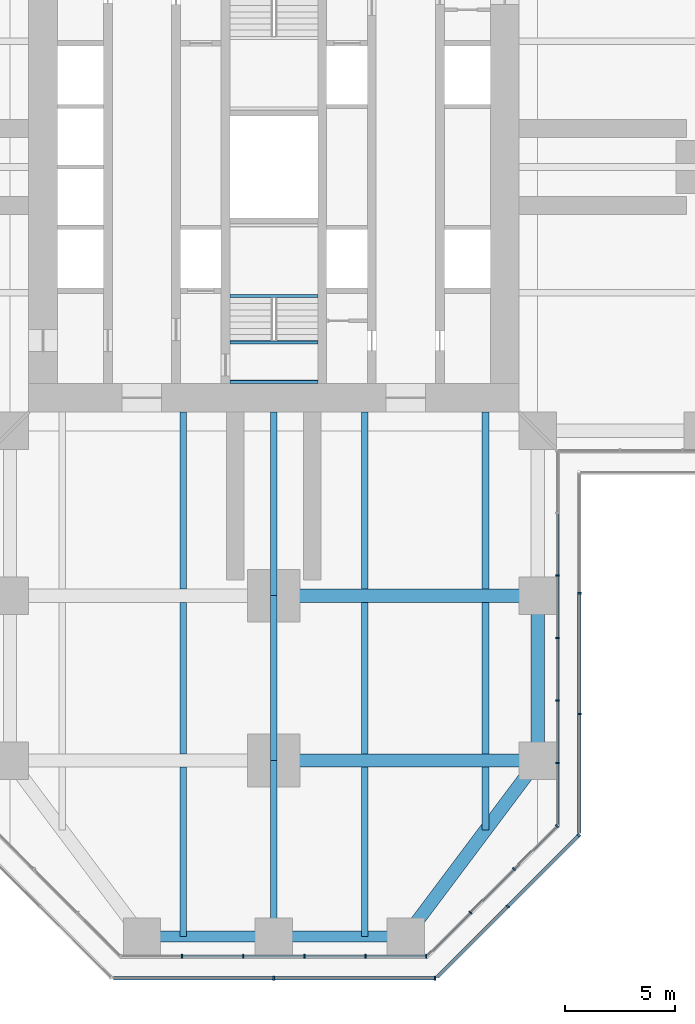
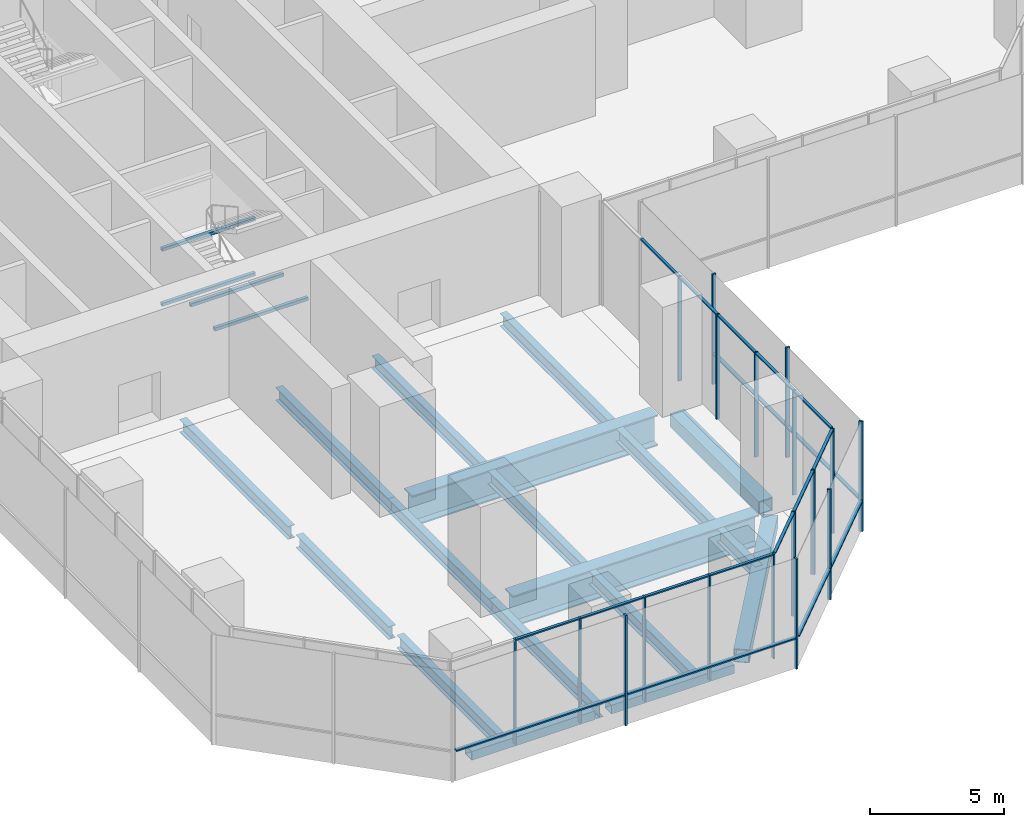
# One storey, part 5 of 23: 36 members, 22 beams, 6 elements without a shape of their own.
"""IFC4 building model written with IfcOpenShell, lengths in metres."""

import ifcopenshell
import ifcopenshell.guid

model = None  # the IFC model being written
_history = None  # IfcOwnerHistory: only IFC2X3 demands one
_inside = {}  # id of a spatial element -> (the spatial element, [elements in it])
_under = {}  # id of a project, library or spatial element -> (it, [spatial elements below it])
_declared = {}  # id of a project -> (the project, [libraries it declares])
_typed = {}  # id of a type object -> (the type object, [elements of that type])
_made_of = {}  # id of a material, layer set ... -> (it, [elements and type objects made of it])


def new_model(schema):
    """Start an empty IFC model of exactly this schema.

    Asked for "IFC4X3", IfcOpenShell would pick the latest addendum, in which some entities
    have other attributes; the version numbers below select the first issue.
    IFC2X3 requires an IfcOwnerHistory on every rooted entity: one is made here for all.
    """
    global model, _history
    if schema == "IFC4X3":
        model = ifcopenshell.file(schema_version=(4, 3, 0, 0))
    else:
        model = ifcopenshell.file(schema=schema)
    _inside.clear()
    _under.clear()
    _declared.clear()
    _typed.clear()
    _made_of.clear()
    _history = None
    if model.schema == "IFC2X3":
        org = make("IfcOrganization", Name="unknown")
        user = make(
            "IfcPersonAndOrganization",
            ThePerson=make("IfcPerson", FamilyName="unknown"),
            TheOrganization=org,
        )
        app = make(
            "IfcApplication",
            ApplicationDeveloper=org,
            Version="unknown",
            ApplicationFullName="unknown",
            ApplicationIdentifier="unknown",
        )
        _history = make(
            "IfcOwnerHistory",
            OwningUser=user,
            OwningApplication=app,
            ChangeAction="ADDED",
            CreationDate=0,
        )
    return model


def make(cls, **values):
    """One entity of the class cls with the attributes given. An attribute that is None is left unset."""
    return model.create_entity(
        cls, **{name: value for name, value in values.items() if value is not None}
    )


def rooted(cls, **values):
    """An entity with a GlobalId (a new one), such as an element, a storey or a relation."""
    return make(cls, GlobalId=ifcopenshell.guid.new(), OwnerHistory=_history, **values)


def si_unit(unit_type, name, prefix=None):
    """IfcSIUnit, for example si_unit("LENGTHUNIT", "METRE", prefix="MILLI")."""
    return make("IfcSIUnit", UnitType=unit_type, Prefix=prefix, Name=name)


def assignment(units):
    """IfcUnitAssignment: the units of a project."""
    return None if units is None else make("IfcUnitAssignment", Units=units)


def point(xyz):
    """IfcCartesianPoint."""
    return None if xyz is None else make("IfcCartesianPoint", Coordinates=xyz)


def direction(xyz):
    """IfcDirection."""
    return None if xyz is None else make("IfcDirection", DirectionRatios=xyz)


def frame(location, z_axis=None, x_axis=None):
    """IfcAxis2Placement3D, a coordinate frame: its origin and axes. An axis left out is left unset."""
    return make(
        "IfcAxis2Placement3D",
        Location=point(location),
        Axis=direction(z_axis),
        RefDirection=direction(x_axis),
    )


def frame_2d(location, x_axis=None):
    """IfcAxis2Placement2D, a coordinate frame in the plane: its origin and x axis."""
    return make(
        "IfcAxis2Placement2D", Location=point(location), RefDirection=direction(x_axis)
    )


def origin():
    """The frame at (0, 0, 0) with its axes left unset."""
    return frame((0.0, 0.0, 0.0))


def origin_2d():
    """The frame at (0, 0) in the plane with its x axis left unset."""
    return frame_2d((0.0, 0.0))


def place(relative_to, where):
    """IfcLocalPlacement: puts the frame where relative to a parent placement (None: the world)."""
    return make(
        "IfcLocalPlacement", PlacementRelTo=relative_to, RelativePlacement=where
    )


def context(
    kind, dimensions, precision=None, world=None, true_north=None, identifier=None
):
    """IfcGeometricRepresentationContext, for example the 3D "Model" context."""
    return make(
        "IfcGeometricRepresentationContext",
        ContextIdentifier=identifier,
        ContextType=kind,
        CoordinateSpaceDimension=dimensions,
        Precision=precision,
        WorldCoordinateSystem=world,
        TrueNorth=true_north,
    )


def subcontext(parent, identifier, kind, view, scale=None):
    """IfcGeometricRepresentationSubContext, for example "Body" below "Model"."""
    return make(
        "IfcGeometricRepresentationSubContext",
        ContextIdentifier=identifier,
        ContextType=kind,
        ParentContext=parent,
        TargetScale=scale,
        TargetView=view,
    )


def project(units=None, contexts=None):
    """IfcProject with its units and contexts."""
    return rooted(
        "IfcProject",
        Name="project",
        RepresentationContexts=contexts,
        UnitsInContext=assignment(units),
    )


def spatial(cls, under=None, at=None, **own):
    """A site, building, storey or space (cls), placed at a placement, below another one or the project."""
    s = rooted(cls, ObjectPlacement=at, **own)
    if under is not None:
        _under.setdefault(under.id(), (under, []))[1].append(s)
    return s


def profile(cls, at=None, kind="AREA", **sizes):
    """A parametric profile (cls). Its sizes go by their IFC names, for example OverallWidth=200.0."""
    return make(cls, ProfileType=kind, Position=at, **sizes)


def rectangle(**sizes):
    """IfcRectangleProfileDef."""
    return profile("IfcRectangleProfileDef", **sizes)


def hollow_rectangle(**sizes):
    """IfcRectangleHollowProfileDef."""
    return profile("IfcRectangleHollowProfileDef", **sizes)


def i_section(**sizes):
    """IfcIShapeProfileDef."""
    return profile("IfcIShapeProfileDef", **sizes)


def extrude(swept, where, along, depth):
    """IfcExtrudedAreaSolid: the profile swept, set in the frame where, extruded along a direction by depth."""
    return make(
        "IfcExtrudedAreaSolid",
        SweptArea=swept,
        Position=where,
        ExtrudedDirection=direction(along),
        Depth=depth,
    )


def shape(context_of_items, identifier, shape_type, items):
    """IfcShapeRepresentation: the items that make up one representation, for example the "Body"."""
    return make(
        "IfcShapeRepresentation",
        ContextOfItems=context_of_items,
        RepresentationIdentifier=identifier,
        RepresentationType=shape_type,
        Items=items,
    )


def material(Name=None, Category=None):
    """IfcMaterial."""
    return make("IfcMaterial", Name=Name, Category=Category)


def material_profile(
    of_material, cross_section, Name=None, Category=None, Priority=None
):
    """IfcMaterialProfile: a cross section and its material."""
    return make(
        "IfcMaterialProfile",
        Name=Name,
        Material=of_material,
        Profile=cross_section,
        Priority=Priority,
        Category=Category,
    )


def profile_set(profiles, Name=None, composite=None):
    """IfcMaterialProfileSet."""
    return make(
        "IfcMaterialProfileSet",
        Name=Name,
        MaterialProfiles=profiles,
        CompositeProfile=composite,
    )


def made_of(thing, what):
    """Note that an element or type object is made of a material, layer set ...; save() writes the relation."""
    if what is not None:
        _made_of.setdefault(what.id(), (what, []))[1].append(thing)
    return thing


def type_object(cls, material=None, **own):
    """A type object (cls), such as IfcWallType, which elements share."""
    return made_of(rooted(cls, **own), material)


def element(
    cls,
    number,
    at=None,
    inside=None,
    cuts=None,
    type_object=None,
    material=None,
    context=None,
    identifier="Body",
    shape_type=None,
    held_by="IfcProductDefinitionShape",
    body=None,
    shapes=None,
    **own,
):
    """One element of the class cls, such as IfcWall. Its Tag is "e" and its number.

    at: its placement. inside: the storey or other place that contains it. cuts: it is an
    opening in that element (IfcRelVoidsElement). A single representation is given by context,
    identifier, shape_type and body (its items); several are given by shapes. held_by: the class
    of the entity that holds the representations. save() writes the other relations.
    """
    e = rooted(cls, Tag="e%d" % number, ObjectPlacement=at, **own)
    if body is not None:
        shapes = [shape(context, identifier, shape_type, body)]
    if shapes is not None:
        e.Representation = make(held_by, Representations=shapes)
    if inside is not None:
        _inside.setdefault(inside.id(), (inside, []))[1].append(e)
    if cuts is not None:
        rooted(
            "IfcRelVoidsElement", RelatingBuildingElement=cuts, RelatedOpeningElement=e
        )
    if type_object is not None:
        _typed.setdefault(type_object.id(), (type_object, []))[1].append(e)
    return made_of(e, material)


def aggregate(whole, parts):
    """IfcRelAggregates: a whole, such as a stair, and the parts it consists of."""
    return rooted("IfcRelAggregates", RelatingObject=whole, RelatedObjects=parts)


def save(model, path):
    """Write the relations noted so far, then the file.

    IfcRelAggregates (storeys below a building ...), IfcRelContainedInSpatialStructure (elements
    in a storey), IfcRelDefinesByType, IfcRelAssociatesMaterial and IfcRelDeclares: one each for
    every whole, place, type object, material and project.
    """
    for whole, parts in _under.values():
        aggregate(whole, parts)
    for where, things in _inside.values():
        rooted(
            "IfcRelContainedInSpatialStructure",
            RelatedElements=things,
            RelatingStructure=where,
        )
    for kind, things in _typed.values():
        rooted("IfcRelDefinesByType", RelatedObjects=things, RelatingType=kind)
    for what, things in _made_of.values():
        rooted("IfcRelAssociatesMaterial", RelatedObjects=things, RelatingMaterial=what)
    for by, libraries in _declared.values():
        rooted("IfcRelDeclares", RelatingContext=by, RelatedDefinitions=libraries)
    model.write(path)


model = new_model("IFC4")

# Units and contexts
model_context = context("Model", 3, precision=1e-05, world=origin(), true_north=direction((0.0, 1.0)))
body_context = subcontext(model_context, "Body", "Model", "MODEL_VIEW")
ifc_project = project(units=[si_unit("LENGTHUNIT", "METRE"), si_unit("AREAUNIT", "SQUARE_METRE"), si_unit("VOLUMEUNIT", "CUBIC_METRE"), si_unit("PLANEANGLEUNIT", "RADIAN"), si_unit("MASSUNIT", "GRAM", prefix="KILO")], contexts=[model_context])

# Site, building, storey
site_placement = place(None, origin())
site = spatial("IfcSite", under=ifc_project, at=site_placement, CompositionType="ELEMENT")
building_placement = place(site_placement, origin())
building = spatial("IfcBuilding", under=site, at=building_placement, Name="Mizan Broadcast Tower", CompositionType="ELEMENT")
storey_placement = place(building_placement, frame((0.0, 0.0, 28.0)))
storey = spatial("IfcBuildingStorey", under=building, at=storey_placement, Name="L04", CompositionType="ELEMENT", Elevation=28.0)

# Beams
ifc_material_1 = material(Name="Steel S355", Category="steel")
ifc_material_profile_1 = material_profile(ifc_material_1, hollow_rectangle(XDim=0.5, YDim=0.39990234375, WallThickness=0.02490234375, at=origin_2d()), Name="BOX 400x500x25")
ifc_profile_set_1 = profile_set([ifc_material_profile_1], Name="Steel S355")
beam_type_1 = type_object("IfcBeamType", Name="EDGE BEAM BOX 400x500x25", PredefinedType="SPANDREL", material=ifc_profile_set_1)
for number, where, z_axis, x_axis, name in (
    (1, (-5.639892578125, -35.0, -0.449951171875), (1.0, 0.0, 0.0), (0.0, 1.0, 0.0), "Edge beam BOX 400x500x25 L04 south arm"),
    (2, (5.639892578125, -35.0, -0.449951171875), (-1.0, 0.0, 0.0), (0.0, -1.0, 0.0), "Edge beam BOX 400x500x25 L04 south arm"),
):
    element("IfcBeam", number, at=place(storey_placement, frame(where, z_axis=z_axis, x_axis=x_axis)), inside=storey, type_object=beam_type_1, Name=name, PredefinedType="SPANDREL", context=body_context, shape_type="SweptSolid", body=[
        extrude(hollow_rectangle(XDim=0.5, YDim=0.39990234375, WallThickness=0.02490234375, at=origin_2d()), origin(), (0.0, 0.0, 1.0), 5.27978515625),
    ])
ifc_material_2 = material(Name="Steel S355", Category="steel")
ifc_material_profile_2 = material_profile(ifc_material_2, hollow_rectangle(XDim=0.60009765625, YDim=0.60009765625, WallThickness=0.030029296875, at=origin_2d()), Name="BOX 600x600x30")
ifc_profile_set_2 = profile_set([ifc_material_profile_2], Name="Steel S355")
beam_type_2 = type_object("IfcBeamType", Name="EDGE BEAM BOX 600x600x30", PredefinedType="SPANDREL", material=ifc_profile_set_2)
beam_1_placement = place(storey_placement, frame((11.639892578125, -27.47998046875, -0.550048828125), z_axis=(-0.599982243973, -0.800013316712, 0.0), x_axis=(0.800013316712, -0.599982243973, 0.0)))
element("IfcBeam", 3, at=beam_1_placement, inside=storey, type_object=beam_type_2, Name="Edge beam BOX 600x600x30 L04 south arm", PredefinedType="SPANDREL", context=body_context, shape_type="SweptSolid", body=[
    extrude(hollow_rectangle(XDim=0.60009765625, YDim=0.60009765625, WallThickness=0.030029296875, at=origin_2d()), origin(), (0.0, 0.0, 1.0), 8.7998046875),
])
ifc_material_3 = material(Name="Steel S355", Category="steel")
ifc_material_profile_3 = material_profile(ifc_material_3, hollow_rectangle(XDim=0.60009765625, YDim=0.60009765625, WallThickness=0.0400390625, at=origin_2d()), Name="BOX 600x600x40")
ifc_profile_set_3 = profile_set([ifc_material_profile_3], Name="Steel S355")
beam_type_3 = type_object("IfcBeamType", Name="EDGE BEAM BOX 600x600x40", PredefinedType="SPANDREL", material=ifc_profile_set_3)
beam_2_placement = place(storey_placement, frame((12.0, -19.949951171875, -0.550048828125), z_axis=(0.0, -1.0, 0.0), x_axis=(1.0, 0.0, 0.0)))
element("IfcBeam", 4, at=beam_2_placement, inside=storey, type_object=beam_type_3, Name="Edge beam BOX 600x600x40 L04 south arm", PredefinedType="SPANDREL", context=body_context, shape_type="SweptSolid", body=[
    extrude(hollow_rectangle(XDim=0.60009765625, YDim=0.60009765625, WallThickness=0.0400390625, at=origin_2d()), origin(), (0.0, 0.0, 1.0), 6.60009765625),
])
ifc_material_4 = material(Name="Steel S460", Category="steel")
ifc_material_profile_4 = material_profile(ifc_material_4, i_section(OverallWidth=0.60009765625, OverallDepth=1.39990234375, WebThickness=0.02490234375, FlangeThickness=0.06005859375, at=origin_2d()), Name="WPG 1400x600")
ifc_profile_set_4 = profile_set([ifc_material_profile_4], Name="Steel S460")
beam_type_4 = type_object("IfcBeamType", Name="GIRDER WPG 1400x600", PredefinedType="BEAM", material=ifc_profile_set_4)
for number, where, z_axis, x_axis, name in (
    (5, (0.719970703125, -19.5, -0.949951171875), (1.0, 0.0, 0.0), (0.0, 1.0, 0.0), "Girder WPG 1400x600 L04 south arm"),
    (6, (0.719970703125, -27.0, -0.949951171875), (1.0, 0.0, 0.0), (0.0, 1.0, 0.0), "Girder WPG 1400x600 L04 south arm"),
):
    element("IfcBeam", number, at=place(storey_placement, frame(where, z_axis=z_axis, x_axis=x_axis)), inside=storey, type_object=beam_type_4, Name=name, PredefinedType="BEAM", context=body_context, shape_type="SweptSolid", body=[
        extrude(i_section(OverallWidth=0.60009765625, OverallDepth=1.39990234375, WebThickness=0.02490234375, FlangeThickness=0.06005859375, at=origin_2d()), origin(), (0.0, 0.0, 1.0), 10.56005859375),
    ])

# Curtain wall, members
ifc_material_5 = material(Name="Aluminium framed glazing", Category="aluminium")
curtain_wall_type_1 = type_object("IfcCurtainWallType", Name="PODIUM CURTAIN WALL", PredefinedType="USERDEFINED", material=ifc_material_5)
curtain_wall_1_placement = place(storey_placement, origin())
curtain_wall_1 = element("IfcCurtainWall", 7, at=curtain_wall_1_placement, inside=storey, type_object=curtain_wall_type_1, Name="Podium curtain wall L04 S end", ObjectType="PODIUM CURTAIN WALL", PredefinedType="USERDEFINED")
ifc_material_6 = material(Name="Aluminium, pale anodised", Category="aluminium")
ifc_material_profile_5 = material_profile(ifc_material_6, rectangle(XDim=0.159912109375, YDim=0.06005859375, at=origin_2d()), Name="MULLION 160x60")
ifc_profile_set_5 = profile_set([ifc_material_profile_5], Name="Aluminium, pale anodised")
member_type_1 = type_object("IfcMemberType", Name="INNER SKIN MULLION 60x160", PredefinedType="MULLION", material=ifc_profile_set_5)
member_1_placement = place(storey_placement, frame((-4.175048828125, -35.89990234375, 0.0), z_axis=(0.0, 0.0, 1.0), x_axis=(0.0, 1.0, 0.0)))
member_1 = element("IfcMember", 8, at=member_1_placement, type_object=member_type_1, Name="Podium curtain wall L04 S end mullion 2", PredefinedType="MULLION", context=body_context, shape_type="SweptSolid", body=[
    extrude(rectangle(XDim=0.159912109375, YDim=0.06005859375, at=origin_2d()), origin(), (0.0, 0.0, 1.0), 4.75),
])
member_2_placement = place(storey_placement, frame((-1.3916015625, -35.89990234375, 0.0), z_axis=(0.0, 0.0, 1.0), x_axis=(0.0, 1.0, 0.0)))
member_2 = element("IfcMember", 9, at=member_2_placement, type_object=member_type_1, Name="Podium curtain wall L04 S end mullion 3", PredefinedType="MULLION", context=body_context, shape_type="SweptSolid", body=[
    extrude(rectangle(XDim=0.159912109375, YDim=0.06005859375, at=origin_2d()), origin(), (0.0, 0.0, 1.0), 4.75),
])
member_3_placement = place(storey_placement, frame((1.3916015625, -35.89990234375, 0.0), z_axis=(0.0, 0.0, 1.0), x_axis=(0.0, 1.0, 0.0)))
member_3 = element("IfcMember", 10, at=member_3_placement, type_object=member_type_1, Name="Podium curtain wall L04 S end mullion 4", PredefinedType="MULLION", context=body_context, shape_type="SweptSolid", body=[
    extrude(rectangle(XDim=0.159912109375, YDim=0.06005859375, at=origin_2d()), origin(), (0.0, 0.0, 1.0), 4.75),
])
member_4_placement = place(storey_placement, frame((4.175048828125, -35.89990234375, 0.0), z_axis=(0.0, 0.0, 1.0), x_axis=(0.0, 1.0, 0.0)))
member_4 = element("IfcMember", 11, at=member_4_placement, type_object=member_type_1, Name="Podium curtain wall L04 S end mullion 5", PredefinedType="MULLION", context=body_context, shape_type="SweptSolid", body=[
    extrude(rectangle(XDim=0.159912109375, YDim=0.06005859375, at=origin_2d()), origin(), (0.0, 0.0, 1.0), 4.75),
])
member_5_placement = place(storey_placement, frame((6.928466796875, -35.89990234375, 0.0), z_axis=(0.0, 0.0, 1.0), x_axis=(0.0, 1.0, 0.0)))
member_5 = element("IfcMember", 12, at=member_5_placement, type_object=member_type_1, Name="Podium curtain wall L04 S end mullion 6", PredefinedType="MULLION", context=body_context, shape_type="SweptSolid", body=[
    extrude(rectangle(XDim=0.159912109375, YDim=0.06005859375, at=origin_2d()), origin(), (0.0, 0.0, 1.0), 4.75),
])

curtain_wall_2_placement = place(storey_placement, origin())
curtain_wall_2 = element("IfcCurtainWall", 13, at=curtain_wall_2_placement, inside=storey, type_object=curtain_wall_type_1, Name="Podium curtain wall L04 S chamfer", ObjectType="PODIUM CURTAIN WALL", PredefinedType="USERDEFINED")
member_6_placement = place(storey_placement, frame((8.93896484375, -33.91943359375, 0.0), z_axis=(0.0, 0.0, 1.0), x_axis=(-0.707106781187, 0.707106781187, 0.0)))
member_6 = element("IfcMember", 14, at=member_6_placement, type_object=member_type_1, Name="Podium curtain wall L04 S chamfer mullion 2", PredefinedType="MULLION", context=body_context, shape_type="SweptSolid", body=[
    extrude(rectangle(XDim=0.159912109375, YDim=0.06005859375, at=origin_2d()), origin(), (0.0, 0.0, 1.0), 4.75),
])
member_7_placement = place(storey_placement, frame((10.91943359375, -31.93896484375, 0.0), z_axis=(0.0, 0.0, 1.0), x_axis=(-0.707106781187, 0.707106781187, 0.0)))
member_7 = element("IfcMember", 15, at=member_7_placement, type_object=member_type_1, Name="Podium curtain wall L04 S chamfer mullion 3", PredefinedType="MULLION", context=body_context, shape_type="SweptSolid", body=[
    extrude(rectangle(XDim=0.159912109375, YDim=0.06005859375, at=origin_2d()), origin(), (0.0, 0.0, 1.0), 4.75),
])
member_8_placement = place(storey_placement, frame((12.87890625, -29.979736328125, 0.0), z_axis=(0.0, 0.0, 1.0), x_axis=(-0.707106781187, 0.707106781187, 0.0)))
member_8 = element("IfcMember", 16, at=member_8_placement, type_object=member_type_1, Name="Podium curtain wall L04 S chamfer mullion 4", PredefinedType="MULLION", context=body_context, shape_type="SweptSolid", body=[
    extrude(rectangle(XDim=0.159912109375, YDim=0.06005859375, at=origin_2d()), origin(), (0.0, 0.0, 1.0), 4.75),
])

curtain_wall_3_placement = place(storey_placement, origin())
curtain_wall_3 = element("IfcCurtainWall", 17, at=curtain_wall_3_placement, inside=storey, type_object=curtain_wall_type_1, Name="Podium curtain wall L04 S side", ObjectType="PODIUM CURTAIN WALL", PredefinedType="USERDEFINED")
member_9_placement = place(storey_placement, frame((12.89990234375, -27.115478515625, 0.0), z_axis=(0.0, 0.0, 1.0), x_axis=(-1.0, 0.0, 0.0)))
member_9 = element("IfcMember", 18, at=member_9_placement, type_object=member_type_1, Name="Podium curtain wall L04 S side mullion 2", PredefinedType="MULLION", context=body_context, shape_type="SweptSolid", body=[
    extrude(rectangle(XDim=0.159912109375, YDim=0.06005859375, at=origin_2d()), origin(), (0.0, 0.0, 1.0), 4.75),
])
member_10_placement = place(storey_placement, frame((12.89990234375, -24.2724609375, 0.0), z_axis=(0.0, 0.0, 1.0), x_axis=(-1.0, 0.0, 0.0)))
member_10 = element("IfcMember", 19, at=member_10_placement, type_object=member_type_1, Name="Podium curtain wall L04 S side mullion 3", PredefinedType="MULLION", context=body_context, shape_type="SweptSolid", body=[
    extrude(rectangle(XDim=0.159912109375, YDim=0.06005859375, at=origin_2d()), origin(), (0.0, 0.0, 1.0), 4.75),
])
member_11_placement = place(storey_placement, frame((12.89990234375, -21.42919921875, 0.0), z_axis=(0.0, 0.0, 1.0), x_axis=(-1.0, 0.0, 0.0)))
member_11 = element("IfcMember", 20, at=member_11_placement, type_object=member_type_1, Name="Podium curtain wall L04 S side mullion 4", PredefinedType="MULLION", context=body_context, shape_type="SweptSolid", body=[
    extrude(rectangle(XDim=0.159912109375, YDim=0.06005859375, at=origin_2d()), origin(), (0.0, 0.0, 1.0), 4.75),
])
member_12_placement = place(storey_placement, frame((12.89990234375, -18.586181640625, 0.0), z_axis=(0.0, 0.0, 1.0), x_axis=(-1.0, 0.0, 0.0)))
member_12 = element("IfcMember", 21, at=member_12_placement, type_object=member_type_1, Name="Podium curtain wall L04 S side mullion 5", PredefinedType="MULLION", context=body_context, shape_type="SweptSolid", body=[
    extrude(rectangle(XDim=0.159912109375, YDim=0.06005859375, at=origin_2d()), origin(), (0.0, 0.0, 1.0), 4.75),
])

# Member
ifc_material_7 = material(Name="Aluminium, pale anodised", Category="aluminium")
ifc_material_profile_6 = material_profile(ifc_material_7, rectangle(XDim=0.1201171875, YDim=0.06005859375, at=origin_2d()), Name="TRANSOM 120x60")
ifc_profile_set_6 = profile_set([ifc_material_profile_6], Name="Aluminium, pale anodised")
member_type_2 = type_object("IfcMemberType", Name="INNER SKIN TRANSOM 60x120", PredefinedType="USERDEFINED", material=ifc_profile_set_6)
member_13_placement = place(storey_placement, frame((-4.145263671875, -35.89990234375, 4.719970703125), z_axis=(1.0, 0.0, 0.0), x_axis=(0.0, 1.0, 0.0)))
member_13 = element("IfcMember", 22, at=member_13_placement, type_object=member_type_2, Name="Podium curtain wall L04 S end transom 2.1", ObjectType="TRANSOM", PredefinedType="USERDEFINED", context=body_context, shape_type="SweptSolid", body=[
    extrude(rectangle(XDim=0.1201171875, YDim=0.06005859375, at=origin_2d()), origin(), (0.0, 0.0, 1.0), 2.7236328125),
])

member_14_placement = place(storey_placement, frame((-1.36181640625, -35.89990234375, 4.719970703125), z_axis=(1.0, 0.0, 0.0), x_axis=(0.0, 1.0, 0.0)))
member_14 = element("IfcMember", 23, at=member_14_placement, type_object=member_type_2, Name="Podium curtain wall L04 S end transom 3.1", ObjectType="TRANSOM", PredefinedType="USERDEFINED", context=body_context, shape_type="SweptSolid", body=[
    extrude(rectangle(XDim=0.1201171875, YDim=0.06005859375, at=origin_2d()), origin(), (0.0, 0.0, 1.0), 2.7236328125),
])

member_15_placement = place(storey_placement, frame((1.421630859375, -35.89990234375, 4.719970703125), z_axis=(1.0, 0.0, 0.0), x_axis=(0.0, 1.0, 0.0)))
member_15 = element("IfcMember", 24, at=member_15_placement, type_object=member_type_2, Name="Podium curtain wall L04 S end transom 4.1", ObjectType="TRANSOM", PredefinedType="USERDEFINED", context=body_context, shape_type="SweptSolid", body=[
    extrude(rectangle(XDim=0.1201171875, YDim=0.06005859375, at=origin_2d()), origin(), (0.0, 0.0, 1.0), 2.7236328125),
])

member_16_placement = place(storey_placement, frame((4.205078125, -35.89990234375, 4.719970703125), z_axis=(1.0, 0.0, 0.0), x_axis=(0.0, 1.0, 0.0)))
member_16 = element("IfcMember", 25, at=member_16_placement, type_object=member_type_2, Name="Podium curtain wall L04 S end transom 5.1", ObjectType="TRANSOM", PredefinedType="USERDEFINED", context=body_context, shape_type="SweptSolid", body=[
    extrude(rectangle(XDim=0.1201171875, YDim=0.06005859375, at=origin_2d()), origin(), (0.0, 0.0, 1.0), 2.693603515625),
])

aggregate(curtain_wall_1, [member_1, member_2, member_3, member_4, member_5, member_13, member_14, member_15, member_16])

member_17_placement = place(storey_placement, frame((7.0009765625, -35.857666015625, 4.719970703125), z_axis=(0.707061749709, 0.707151809797, 0.0), x_axis=(-0.707151809797, 0.707061749709, 0.0)))
member_17 = element("IfcMember", 26, at=member_17_placement, type_object=member_type_2, Name="Podium curtain wall L04 S chamfer transom 1.1", ObjectType="TRANSOM", PredefinedType="USERDEFINED", context=body_context, shape_type="SweptSolid", body=[
    extrude(rectangle(XDim=0.1201171875, YDim=0.06005859375, at=origin_2d()), origin(), (0.0, 0.0, 1.0), 2.7109375),
])

member_18_placement = place(storey_placement, frame((8.960205078125, -33.898193359375, 4.719970703125), z_axis=(0.707106781187, 0.707106781187, 0.0), x_axis=(-0.707106781187, 0.707106781187, 0.0)))
member_18 = element("IfcMember", 27, at=member_18_placement, type_object=member_type_2, Name="Podium curtain wall L04 S chamfer transom 2.1", ObjectType="TRANSOM", PredefinedType="USERDEFINED", context=body_context, shape_type="SweptSolid", body=[
    extrude(rectangle(XDim=0.1201171875, YDim=0.06005859375, at=origin_2d()), origin(), (0.0, 0.0, 1.0), 2.74072265625),
])

member_19_placement = place(storey_placement, frame((10.940673828125, -31.917724609375, 4.719970703125), z_axis=(0.707151809797, 0.707061749709, 0.0), x_axis=(-0.707061749709, 0.707151809797, 0.0)))
member_19 = element("IfcMember", 28, at=member_19_placement, type_object=member_type_2, Name="Podium curtain wall L04 S chamfer transom 3.1", ObjectType="TRANSOM", PredefinedType="USERDEFINED", context=body_context, shape_type="SweptSolid", body=[
    extrude(rectangle(XDim=0.1201171875, YDim=0.06005859375, at=origin_2d()), origin(), (0.0, 0.0, 1.0), 2.7109375),
])

aggregate(curtain_wall_2, [member_6, member_7, member_8, member_17, member_18, member_19])

member_20_placement = place(storey_placement, frame((12.89990234375, -29.898681640625, 4.719970703125), z_axis=(0.0, 1.0, 0.0), x_axis=(-1.0, 0.0, 0.0)))
member_20 = element("IfcMember", 29, at=member_20_placement, type_object=member_type_2, Name="Podium curtain wall L04 S side transom 1.1", ObjectType="TRANSOM", PredefinedType="USERDEFINED", context=body_context, shape_type="SweptSolid", body=[
    extrude(rectangle(XDim=0.1201171875, YDim=0.06005859375, at=origin_2d()), origin(), (0.0, 0.0, 1.0), 2.753173828125),
])

member_21_placement = place(storey_placement, frame((12.89990234375, -27.08544921875, 4.719970703125), z_axis=(0.0, 1.0, 0.0), x_axis=(-1.0, 0.0, 0.0)))
member_21 = element("IfcMember", 30, at=member_21_placement, type_object=member_type_2, Name="Podium curtain wall L04 S side transom 2.1", ObjectType="TRANSOM", PredefinedType="USERDEFINED", context=body_context, shape_type="SweptSolid", body=[
    extrude(rectangle(XDim=0.1201171875, YDim=0.06005859375, at=origin_2d()), origin(), (0.0, 0.0, 1.0), 2.782958984375),
])

member_22_placement = place(storey_placement, frame((12.89990234375, -24.242431640625, 4.719970703125), z_axis=(0.0, 1.0, 0.0), x_axis=(-1.0, 0.0, 0.0)))
member_22 = element("IfcMember", 31, at=member_22_placement, type_object=member_type_2, Name="Podium curtain wall L04 S side transom 3.1", ObjectType="TRANSOM", PredefinedType="USERDEFINED", context=body_context, shape_type="SweptSolid", body=[
    extrude(rectangle(XDim=0.1201171875, YDim=0.06005859375, at=origin_2d()), origin(), (0.0, 0.0, 1.0), 2.783203125),
])

member_23_placement = place(storey_placement, frame((12.89990234375, -21.399169921875, 4.719970703125), z_axis=(0.0, 1.0, 0.0), x_axis=(-1.0, 0.0, 0.0)))
member_23 = element("IfcMember", 32, at=member_23_placement, type_object=member_type_2, Name="Podium curtain wall L04 S side transom 4.1", ObjectType="TRANSOM", PredefinedType="USERDEFINED", context=body_context, shape_type="SweptSolid", body=[
    extrude(rectangle(XDim=0.1201171875, YDim=0.06005859375, at=origin_2d()), origin(), (0.0, 0.0, 1.0), 2.782958984375),
])

member_24_placement = place(storey_placement, frame((12.89990234375, -18.55615234375, 4.719970703125), z_axis=(0.0, 1.0, 0.0), x_axis=(-1.0, 0.0, 0.0)))
member_24 = element("IfcMember", 33, at=member_24_placement, type_object=member_type_2, Name="Podium curtain wall L04 S side transom 5.1", ObjectType="TRANSOM", PredefinedType="USERDEFINED", context=body_context, shape_type="SweptSolid", body=[
    extrude(rectangle(XDim=0.1201171875, YDim=0.06005859375, at=origin_2d()), origin(), (0.0, 0.0, 1.0), 2.782958984375),
])

aggregate(curtain_wall_3, [member_9, member_10, member_11, member_12, member_20, member_21, member_22, member_23, member_24])

# Beams
ifc_material_8 = material(Name="Steel S355", Category="steel")
ifc_material_profile_7 = material_profile(ifc_material_8, hollow_rectangle(XDim=0.14990234375, YDim=0.14990234375, WallThickness=0.008056640625, InnerFilletRadius=0.008056640625, OuterFilletRadius=0.011962890625, at=origin_2d()), Name="SHS 150x150x8")
ifc_profile_set_7 = profile_set([ifc_material_profile_7], Name="Steel S355")
beam_type_5 = type_object("IfcBeamType", Name="LANDING TRIMMER SHS 150x150x8", PredefinedType="BEAM", material=ifc_profile_set_7)
for number, where, z_axis, x_axis, name in (
    (34, (-2.0, -5.864990234375, 0.97509765625), (1.0, 0.0, 0.0), (0.0, 1.0, 0.0), "Stair A landing trimmer L04"),
    (35, (-2.0, -9.77490234375, 2.22509765625), (1.0, 0.0, 0.0), (0.0, 1.0, 0.0), "Stair A landing trimmer L04"),
    (36, (-2.0, -7.97509765625, 2.22509765625), (1.0, 0.0, 0.0), (0.0, 1.0, 0.0), "Stair A landing trimmer L04"),
    (37, (-2.0, -5.864990234375, 3.47509765625), (1.0, 0.0, 0.0), (0.0, 1.0, 0.0), "Stair A landing trimmer L04"),
):
    element("IfcBeam", number, at=place(storey_placement, frame(where, z_axis=z_axis, x_axis=x_axis)), inside=storey, type_object=beam_type_5, Name=name, PredefinedType="BEAM", context=body_context, shape_type="SweptSolid", body=[
        extrude(hollow_rectangle(XDim=0.14990234375, YDim=0.14990234375, WallThickness=0.008056640625, InnerFilletRadius=0.008056640625, OuterFilletRadius=0.011962890625, at=origin_2d()), origin(), (0.0, 0.0, 1.0), 4.0),
    ])

# Curtain wall, members
ifc_material_9 = material(Name="Aluminium framed glazing", Category="aluminium")
curtain_wall_type_2 = type_object("IfcCurtainWallType", Name="OUTER SKIN", PredefinedType="USERDEFINED", material=ifc_material_9)
curtain_wall_4_placement = place(storey_placement, origin())
curtain_wall_4 = element("IfcCurtainWall", 38, at=curtain_wall_4_placement, inside=storey, type_object=curtain_wall_type_2, Name="Outer skin L04 S end", ObjectType="OUTER SKIN", PredefinedType="USERDEFINED")
ifc_material_10 = material(Name="Aluminium, pale anodised", Category="aluminium")
ifc_material_profile_8 = material_profile(ifc_material_10, rectangle(XDim=0.159912109375, YDim=0.080078125, at=origin_2d()), Name="MULLION 160x80")
ifc_profile_set_8 = profile_set([ifc_material_profile_8], Name="Aluminium, pale anodised")
member_type_3 = type_object("IfcMemberType", Name="OUTER SKIN MULLION 80x160", PredefinedType="MULLION", material=ifc_profile_set_8)
member_25_placement = place(storey_placement, frame((0.0, -36.89990234375, 0.0), z_axis=(0.0, 0.0, 1.0), x_axis=(0.0, 1.0, 0.0)))
member_25 = element("IfcMember", 39, at=member_25_placement, type_object=member_type_3, Name="Outer skin L04 S end mullion 2", PredefinedType="MULLION", context=body_context, shape_type="SweptSolid", body=[
    extrude(rectangle(XDim=0.159912109375, YDim=0.080078125, at=origin_2d()), origin(), (0.0, 0.0, 1.0), 5.0),
])
member_26_placement = place(storey_placement, frame((7.332763671875, -36.89990234375, 0.0), z_axis=(0.0, 0.0, 1.0), x_axis=(0.0, 1.0, 0.0)))
member_26 = element("IfcMember", 40, at=member_26_placement, type_object=member_type_3, Name="Outer skin L04 S end mullion 3", PredefinedType="MULLION", context=body_context, shape_type="SweptSolid", body=[
    extrude(rectangle(XDim=0.159912109375, YDim=0.080078125, at=origin_2d()), origin(), (0.0, 0.0, 1.0), 5.0),
])

curtain_wall_5_placement = place(storey_placement, origin())
curtain_wall_5 = element("IfcCurtainWall", 41, at=curtain_wall_5_placement, inside=storey, type_object=curtain_wall_type_2, Name="Outer skin L04 S chamfer", ObjectType="OUTER SKIN", PredefinedType="USERDEFINED")
member_27_placement = place(storey_placement, frame((10.636474609375, -33.636474609375, 0.0), z_axis=(0.0, 0.0, 1.0), x_axis=(-0.707106781187, 0.707106781187, 0.0)))
member_27 = element("IfcMember", 42, at=member_27_placement, type_object=member_type_3, Name="Outer skin L04 S chamfer mullion 2", PredefinedType="MULLION", context=body_context, shape_type="SweptSolid", body=[
    extrude(rectangle(XDim=0.159912109375, YDim=0.080078125, at=origin_2d()), origin(), (0.0, 0.0, 1.0), 5.0),
])
member_28_placement = place(storey_placement, frame((13.871826171875, -30.401123046875, 0.0), z_axis=(0.0, 0.0, 1.0), x_axis=(-0.707106781187, 0.707106781187, 0.0)))
member_28 = element("IfcMember", 43, at=member_28_placement, type_object=member_type_3, Name="Outer skin L04 S chamfer mullion 3", PredefinedType="MULLION", context=body_context, shape_type="SweptSolid", body=[
    extrude(rectangle(XDim=0.159912109375, YDim=0.080078125, at=origin_2d()), origin(), (0.0, 0.0, 1.0), 5.0),
])

curtain_wall_6_placement = place(storey_placement, origin())
curtain_wall_6 = element("IfcCurtainWall", 44, at=curtain_wall_6_placement, inside=storey, type_object=curtain_wall_type_2, Name="Outer skin L04 S side", ObjectType="OUTER SKIN", PredefinedType="USERDEFINED")
member_29_placement = place(storey_placement, frame((13.89990234375, -24.8818359375, 0.0), z_axis=(0.0, 0.0, 1.0), x_axis=(-1.0, 0.0, 0.0)))
member_29 = element("IfcMember", 45, at=member_29_placement, type_object=member_type_3, Name="Outer skin L04 S side mullion 2", PredefinedType="MULLION", context=body_context, shape_type="SweptSolid", body=[
    extrude(rectangle(XDim=0.159912109375, YDim=0.080078125, at=origin_2d()), origin(), (0.0, 0.0, 1.0), 5.0),
])
member_30_placement = place(storey_placement, frame((13.89990234375, -19.390869140625, 0.0), z_axis=(0.0, 0.0, 1.0), x_axis=(-1.0, 0.0, 0.0)))
member_30 = element("IfcMember", 46, at=member_30_placement, type_object=member_type_3, Name="Outer skin L04 S side mullion 3", PredefinedType="MULLION", context=body_context, shape_type="SweptSolid", body=[
    extrude(rectangle(XDim=0.159912109375, YDim=0.080078125, at=origin_2d()), origin(), (0.0, 0.0, 1.0), 5.0),
])

# Member
ifc_material_11 = material(Name="Aluminium, pale anodised", Category="aluminium")
ifc_material_profile_9 = material_profile(ifc_material_11, rectangle(XDim=0.159912109375, YDim=0.06005859375, at=origin_2d()), Name="TRANSOM 160x60")
ifc_profile_set_9 = profile_set([ifc_material_profile_9], Name="Aluminium, pale anodised")
member_type_4 = type_object("IfcMemberType", Name="OUTER SKIN TRANSOM 60x160", PredefinedType="USERDEFINED", material=ifc_profile_set_9)
member_31_placement = place(storey_placement, frame((-7.292724609375, -36.89990234375, 1.39990234375), z_axis=(1.0, 0.0, 0.0), x_axis=(0.0, 1.0, 0.0)))
member_31 = element("IfcMember", 47, at=member_31_placement, type_object=member_type_4, Name="Outer skin L04 S end transom 1.1", ObjectType="TRANSOM", PredefinedType="USERDEFINED", context=body_context, shape_type="SweptSolid", body=[
    extrude(rectangle(XDim=0.159912109375, YDim=0.06005859375, at=origin_2d()), origin(), (0.0, 0.0, 1.0), 7.252685546875),
])

member_32_placement = place(storey_placement, frame((0.0400390625, -36.89990234375, 1.39990234375), z_axis=(1.0, 0.0, 0.0), x_axis=(0.0, 1.0, 0.0)))
member_32 = element("IfcMember", 48, at=member_32_placement, type_object=member_type_4, Name="Outer skin L04 S end transom 2.1", ObjectType="TRANSOM", PredefinedType="USERDEFINED", context=body_context, shape_type="SweptSolid", body=[
    extrude(rectangle(XDim=0.159912109375, YDim=0.06005859375, at=origin_2d()), origin(), (0.0, 0.0, 1.0), 7.252685546875),
])

aggregate(curtain_wall_4, [member_25, member_26, member_31, member_32])

member_33_placement = place(storey_placement, frame((7.429443359375, -36.843505859375, 1.39990234375), z_axis=(0.707106781187, 0.707106781187, 0.0), x_axis=(-0.707106781187, 0.707106781187, 0.0)))
member_33 = element("IfcMember", 49, at=member_33_placement, type_object=member_type_4, Name="Outer skin L04 S chamfer transom 1.1", ObjectType="TRANSOM", PredefinedType="USERDEFINED", context=body_context, shape_type="SweptSolid", body=[
    extrude(rectangle(XDim=0.159912109375, YDim=0.06005859375, at=origin_2d()), origin(), (0.0, 0.0, 1.0), 4.495361328125),
])

member_34_placement = place(storey_placement, frame((10.664794921875, -33.608154296875, 1.39990234375), z_axis=(0.707106781187, 0.707106781187, 0.0), x_axis=(-0.707106781187, 0.707106781187, 0.0)))
member_34 = element("IfcMember", 50, at=member_34_placement, type_object=member_type_4, Name="Outer skin L04 S chamfer transom 2.1", ObjectType="TRANSOM", PredefinedType="USERDEFINED", context=body_context, shape_type="SweptSolid", body=[
    extrude(rectangle(XDim=0.159912109375, YDim=0.06005859375, at=origin_2d()), origin(), (0.0, 0.0, 1.0), 4.495361328125),
])

aggregate(curtain_wall_5, [member_27, member_28, member_33, member_34])

member_35_placement = place(storey_placement, frame((13.89990234375, -30.292724609375, 1.39990234375), z_axis=(0.0, 1.0, 0.0), x_axis=(-1.0, 0.0, 0.0)))
member_35 = element("IfcMember", 51, at=member_35_placement, type_object=member_type_4, Name="Outer skin L04 S side transom 1.1", ObjectType="TRANSOM", PredefinedType="USERDEFINED", context=body_context, shape_type="SweptSolid", body=[
    extrude(rectangle(XDim=0.159912109375, YDim=0.06005859375, at=origin_2d()), origin(), (0.0, 0.0, 1.0), 5.370849609375),
])

member_36_placement = place(storey_placement, frame((13.89990234375, -24.841796875, 1.39990234375), z_axis=(0.0, 1.0, 0.0), x_axis=(-1.0, 0.0, 0.0)))
member_36 = element("IfcMember", 52, at=member_36_placement, type_object=member_type_4, Name="Outer skin L04 S side transom 2.1", ObjectType="TRANSOM", PredefinedType="USERDEFINED", context=body_context, shape_type="SweptSolid", body=[
    extrude(rectangle(XDim=0.159912109375, YDim=0.06005859375, at=origin_2d()), origin(), (0.0, 0.0, 1.0), 5.410888671875),
])

aggregate(curtain_wall_6, [member_29, member_30, member_35, member_36])

# Beams
ifc_material_12 = material(Name="Steel S355", Category="steel")
ifc_material_profile_10 = material_profile(ifc_material_12, i_section(OverallWidth=0.300048828125, OverallDepth=0.590087890625, WebThickness=0.012939453125, FlangeThickness=0.02490234375, FilletRadius=0.027099609375, at=origin_2d()), Name="HEA 600")
ifc_profile_set_10 = profile_set([ifc_material_profile_10], Name="Steel S355")
beam_type_6 = type_object("IfcBeamType", Name="SECONDARY BEAM HEA 600", PredefinedType="JOIST", material=ifc_profile_set_10)
beam_3_placement = place(storey_placement, frame((-4.125, -11.14990234375, -0.544921875), z_axis=(0.0, -1.0, 0.0), x_axis=(1.0, 0.0, 0.0)))
element("IfcBeam", 53, at=beam_3_placement, inside=storey, type_object=beam_type_6, Name="Secondary beam HEA 600 L04 south arm", PredefinedType="JOIST", context=body_context, shape_type="SweptSolid", body=[
    extrude(i_section(OverallWidth=0.300048828125, OverallDepth=0.590087890625, WebThickness=0.012939453125, FlangeThickness=0.02490234375, FilletRadius=0.027099609375, at=origin_2d()), origin(), (0.0, 0.0, 1.0), 8.050048828125),
])
beam_4_placement = place(storey_placement, frame((-4.125, -19.800048828125, -0.544921875), z_axis=(0.0, -1.0, 0.0), x_axis=(1.0, 0.0, 0.0)))
element("IfcBeam", 54, at=beam_4_placement, inside=storey, type_object=beam_type_6, Name="Secondary beam HEA 600 L04 south arm", PredefinedType="JOIST", context=body_context, shape_type="SweptSolid", body=[
    extrude(i_section(OverallWidth=0.300048828125, OverallDepth=0.590087890625, WebThickness=0.012939453125, FlangeThickness=0.02490234375, FilletRadius=0.027099609375, at=origin_2d()), origin(), (0.0, 0.0, 1.0), 6.89990234375),
])
beam_5_placement = place(storey_placement, frame((-4.125, -27.300048828125, -0.544921875), z_axis=(0.0, -1.0, 0.0), x_axis=(1.0, 0.0, 0.0)))
element("IfcBeam", 55, at=beam_5_placement, inside=storey, type_object=beam_type_6, Name="Secondary beam HEA 600 L04 south arm", PredefinedType="JOIST", context=body_context, shape_type="SweptSolid", body=[
    extrude(i_section(OverallWidth=0.300048828125, OverallDepth=0.590087890625, WebThickness=0.012939453125, FlangeThickness=0.02490234375, FilletRadius=0.027099609375, at=origin_2d()), origin(), (0.0, 0.0, 1.0), 7.699951171875),
])
beam_6_placement = place(storey_placement, frame((0.0, -11.14990234375, -0.544921875), z_axis=(0.0, -1.0, 0.0), x_axis=(1.0, 0.0, 0.0)))
element("IfcBeam", 56, at=beam_6_placement, inside=storey, type_object=beam_type_6, Name="Secondary beam HEA 600 L04 south arm", PredefinedType="JOIST", context=body_context, shape_type="SweptSolid", body=[
    extrude(i_section(OverallWidth=0.300048828125, OverallDepth=0.590087890625, WebThickness=0.012939453125, FlangeThickness=0.02490234375, FilletRadius=0.027099609375, at=origin_2d()), origin(), (0.0, 0.0, 1.0), 8.35009765625),
])
beam_7_placement = place(storey_placement, frame((0.0, -19.5, -0.544921875), z_axis=(0.0, -1.0, 0.0), x_axis=(1.0, 0.0, 0.0)))
element("IfcBeam", 57, at=beam_7_placement, inside=storey, type_object=beam_type_6, Name="Secondary beam HEA 600 L04 south arm", PredefinedType="JOIST", context=body_context, shape_type="SweptSolid", body=[
    extrude(i_section(OverallWidth=0.300048828125, OverallDepth=0.590087890625, WebThickness=0.012939453125, FlangeThickness=0.02490234375, FilletRadius=0.027099609375, at=origin_2d()), origin(), (0.0, 0.0, 1.0), 7.5),
])
beam_8_placement = place(storey_placement, frame((0.0, -27.0, -0.544921875), z_axis=(0.0, -1.0, 0.0), x_axis=(1.0, 0.0, 0.0)))
element("IfcBeam", 58, at=beam_8_placement, inside=storey, type_object=beam_type_6, Name="Secondary beam HEA 600 L04 south arm", PredefinedType="JOIST", context=body_context, shape_type="SweptSolid", body=[
    extrude(i_section(OverallWidth=0.300048828125, OverallDepth=0.590087890625, WebThickness=0.012939453125, FlangeThickness=0.02490234375, FilletRadius=0.027099609375, at=origin_2d()), origin(), (0.0, 0.0, 1.0), 8.0),
])
beam_9_placement = place(storey_placement, frame((4.125, -11.14990234375, -0.544921875), z_axis=(0.0, -1.0, 0.0), x_axis=(1.0, 0.0, 0.0)))
element("IfcBeam", 59, at=beam_9_placement, inside=storey, type_object=beam_type_6, Name="Secondary beam HEA 600 L04 south arm", PredefinedType="JOIST", context=body_context, shape_type="SweptSolid", body=[
    extrude(i_section(OverallWidth=0.300048828125, OverallDepth=0.590087890625, WebThickness=0.012939453125, FlangeThickness=0.02490234375, FilletRadius=0.027099609375, at=origin_2d()), origin(), (0.0, 0.0, 1.0), 8.050048828125),
])
beam_10_placement = place(storey_placement, frame((4.125, -19.800048828125, -0.544921875), z_axis=(0.0, -1.0, 0.0), x_axis=(1.0, 0.0, 0.0)))
element("IfcBeam", 60, at=beam_10_placement, inside=storey, type_object=beam_type_6, Name="Secondary beam HEA 600 L04 south arm", PredefinedType="JOIST", context=body_context, shape_type="SweptSolid", body=[
    extrude(i_section(OverallWidth=0.300048828125, OverallDepth=0.590087890625, WebThickness=0.012939453125, FlangeThickness=0.02490234375, FilletRadius=0.027099609375, at=origin_2d()), origin(), (0.0, 0.0, 1.0), 6.89990234375),
])
beam_11_placement = place(storey_placement, frame((4.125, -27.300048828125, -0.544921875), z_axis=(0.0, -1.0, 0.0), x_axis=(1.0, 0.0, 0.0)))
element("IfcBeam", 61, at=beam_11_placement, inside=storey, type_object=beam_type_6, Name="Secondary beam HEA 600 L04 south arm", PredefinedType="JOIST", context=body_context, shape_type="SweptSolid", body=[
    extrude(i_section(OverallWidth=0.300048828125, OverallDepth=0.590087890625, WebThickness=0.012939453125, FlangeThickness=0.02490234375, FilletRadius=0.027099609375, at=origin_2d()), origin(), (0.0, 0.0, 1.0), 7.699951171875),
])
beam_12_placement = place(storey_placement, frame((9.625, -11.14990234375, -0.544921875), z_axis=(0.0, -1.0, 0.0), x_axis=(1.0, 0.0, 0.0)))
element("IfcBeam", 62, at=beam_12_placement, inside=storey, type_object=beam_type_6, Name="Secondary beam HEA 600 L04 south arm", PredefinedType="JOIST", context=body_context, shape_type="SweptSolid", body=[
    extrude(i_section(OverallWidth=0.300048828125, OverallDepth=0.590087890625, WebThickness=0.012939453125, FlangeThickness=0.02490234375, FilletRadius=0.027099609375, at=origin_2d()), origin(), (0.0, 0.0, 1.0), 8.050048828125),
])
beam_13_placement = place(storey_placement, frame((9.625, -19.800048828125, -0.544921875), z_axis=(0.0, -1.0, 0.0), x_axis=(1.0, 0.0, 0.0)))
element("IfcBeam", 63, at=beam_13_placement, inside=storey, type_object=beam_type_6, Name="Secondary beam HEA 600 L04 south arm", PredefinedType="JOIST", context=body_context, shape_type="SweptSolid", body=[
    extrude(i_section(OverallWidth=0.300048828125, OverallDepth=0.590087890625, WebThickness=0.012939453125, FlangeThickness=0.02490234375, FilletRadius=0.027099609375, at=origin_2d()), origin(), (0.0, 0.0, 1.0), 6.89990234375),
])
beam_14_placement = place(storey_placement, frame((9.625, -27.300048828125, -0.544921875), z_axis=(0.0, -1.0, 0.0), x_axis=(1.0, 0.0, 0.0)))
element("IfcBeam", 64, at=beam_14_placement, inside=storey, type_object=beam_type_6, Name="Secondary beam HEA 600 L04 south arm", PredefinedType="JOIST", context=body_context, shape_type="SweptSolid", body=[
    extrude(i_section(OverallWidth=0.300048828125, OverallDepth=0.590087890625, WebThickness=0.012939453125, FlangeThickness=0.02490234375, FilletRadius=0.027099609375, at=origin_2d()), origin(), (0.0, 0.0, 1.0), 2.86669921875),
])

save(model, "model.ifc")
